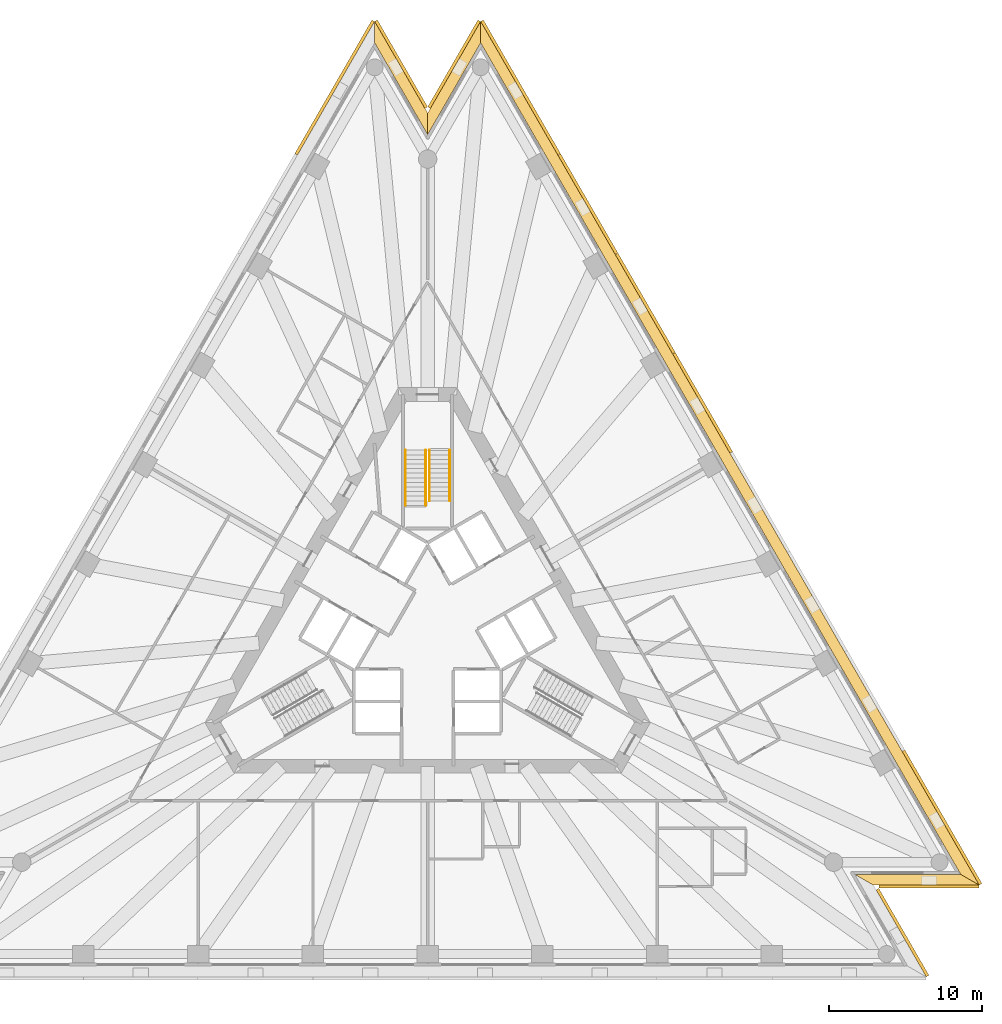
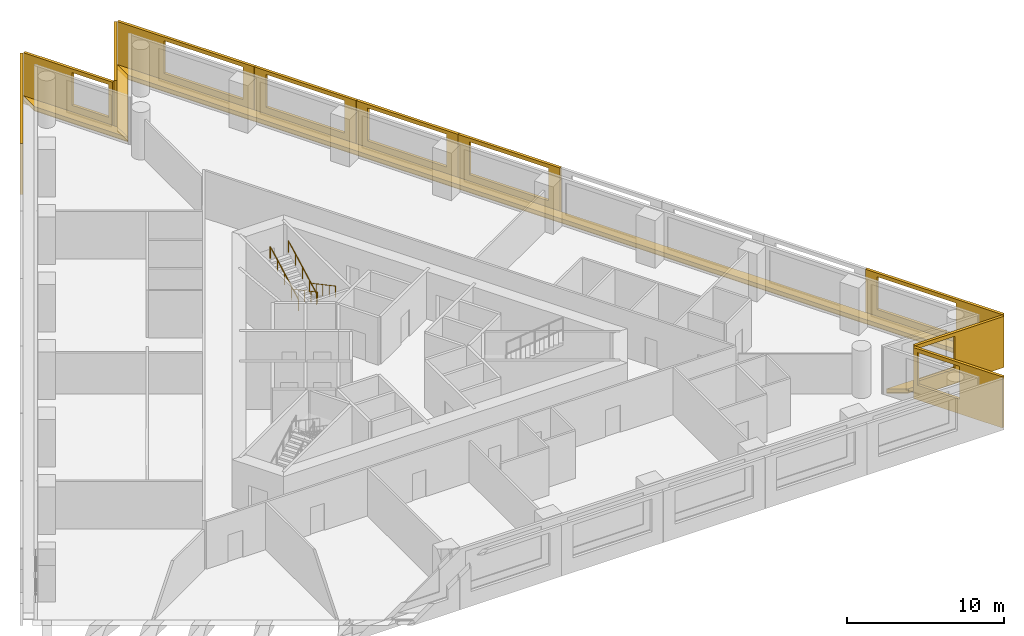
# One storey, part 9 of 9: 14 shading devices, 4 coverings, 4 railings, 1 element without a shape of its own.
"""IFC4 building model written with IfcOpenShell, lengths in metres."""

from ifc_helpers import new_model, si_unit, direction, frame, origin, origin_2d, place, context, subcontext, project, spatial, polyline, circle, outline, extrude, material, layer, layer_set, layer_usage, type_object, element, aggregate, save


model = new_model("IFC4")

# Units and contexts
model_context = context("Model", 3, precision=1e-05, world=origin(), true_north=direction((0.0, 1.0)))
body_context = subcontext(model_context, "Body", "Model", "MODEL_VIEW")
ifc_project = project(units=[si_unit("LENGTHUNIT", "METRE"), si_unit("AREAUNIT", "SQUARE_METRE"), si_unit("VOLUMEUNIT", "CUBIC_METRE"), si_unit("PLANEANGLEUNIT", "RADIAN"), si_unit("MASSUNIT", "GRAM", prefix="KILO")], contexts=[model_context])

# Site, building, storey
site_placement = place(None, origin())
site = spatial("IfcSite", under=ifc_project, at=site_placement, CompositionType="ELEMENT")
building_placement = place(site_placement, origin())
building = spatial("IfcBuilding", under=site, at=building_placement, Name="Triada Interchange Tower", CompositionType="ELEMENT")
storey_placement = place(building_placement, frame((0.0, 0.0, 47.300048828125)))
storey = spatial("IfcBuildingStorey", under=building, at=storey_placement, Name="L09", CompositionType="ELEMENT", Elevation=47.300048828125)

# Coverings
ifc_material_1 = material(Name="Mineral fire-stop board")
ifc_layer_1 = layer(ifc_material_1, 0.0400390625, Name="Mineral fire-stop board")
ifc_material_2 = material(Name="Intumescent sealant")
ifc_layer_2 = layer(ifc_material_2, 0.010009765625, Name="Intumescent seal")
ifc_layer_set_1 = layer_set([ifc_layer_1, ifc_layer_2], Name="Cavity fire stop")
ifc_layer_usage = layer_usage(ifc_layer_set_1, "AXIS3", "POSITIVE", 0.0)
covering_type = type_object("IfcCoveringType", Name="Cavity fire stop", PredefinedType="INSULATION", material=ifc_layer_set_1)
covering_1_placement = place(storey_placement, origin())
element("IfcCovering", 1, at=covering_1_placement, inside=storey, type_object=covering_type, material=ifc_layer_usage, Name="Cavity fire stop L09 SE-2", PredefinedType="INSULATION", context=body_context, shape_type="SweptSolid", body=[
    extrude(outline(polyline([(27.905029296875, -16.111083984375), (29.116943359375, -16.81103515625), (36.041015625, -16.81103515625), (34.8291015625, -16.111083984375), (27.905029296875, -16.111083984375)])), origin(), (0.0, 0.0, 1.0), 0.050048828125),
])
covering_2_placement = place(storey_placement, origin())
element("IfcCovering", 2, at=covering_2_placement, inside=storey, type_object=covering_type, material=ifc_layer_usage, Name="Cavity fire stop L09 NE", PredefinedType="INSULATION", context=body_context, shape_type="SweptSolid", body=[
    extrude(outline(polyline([(34.8291015625, -16.111083984375), (36.041015625, -16.81103515625), (3.4619140625, 39.617919921875), (3.4619140625, 38.218017578125), (34.8291015625, -16.111083984375)])), origin(), (0.0, 0.0, 1.0), 0.050048828125),
])
covering_3_placement = place(storey_placement, origin())
element("IfcCovering", 3, at=covering_3_placement, inside=storey, type_object=covering_type, material=ifc_layer_usage, Name="Cavity fire stop L09 N-1", PredefinedType="INSULATION", context=body_context, shape_type="SweptSolid", body=[
    extrude(outline(polyline([(3.4619140625, 38.218017578125), (3.4619140625, 39.617919921875), (0.0, 33.6220703125), (0.0, 32.221923828125), (3.4619140625, 38.218017578125)])), origin(), (0.0, 0.0, 1.0), 0.050048828125),
])
covering_4_placement = place(storey_placement, origin())
element("IfcCovering", 4, at=covering_4_placement, inside=storey, type_object=covering_type, material=ifc_layer_usage, Name="Cavity fire stop L09 N-2", PredefinedType="INSULATION", context=body_context, shape_type="SweptSolid", body=[
    extrude(outline(polyline([(0.0, 32.221923828125), (0.0, 33.6220703125), (-3.4619140625, 39.617919921875), (-3.4619140625, 38.218017578125), (0.0, 32.221923828125)])), origin(), (0.0, 0.0, 1.0), 0.050048828125),
])

# Shading devices
ifc_material_3 = material(Name="Aluminium louvre", Category="aluminium")
shading_device_type_1 = type_object("IfcShadingDeviceType", Name="Cavity louvre grille", PredefinedType="JALOUSIE", material=ifc_material_3)
shading_device_1_placement = place(storey_placement, frame((0.0, 0.0, 0.050048828125)))
element("IfcShadingDevice", 5, at=shading_device_1_placement, inside=storey, type_object=shading_device_type_1, Name="Cavity louvre grille L09 SE-2", PredefinedType="JALOUSIE", context=body_context, shape_type="SweptSolid", body=[
    extrude(outline(polyline([(27.905029296875, -16.111083984375), (29.116943359375, -16.81103515625), (36.041015625, -16.81103515625), (34.8291015625, -16.111083984375), (27.905029296875, -16.111083984375)])), origin(), (0.0, 0.0, 1.0), 0.2998046875),
])
shading_device_2_placement = place(storey_placement, frame((0.0, 0.0, 0.050048828125)))
element("IfcShadingDevice", 6, at=shading_device_2_placement, inside=storey, type_object=shading_device_type_1, Name="Cavity louvre grille L09 NE", PredefinedType="JALOUSIE", context=body_context, shape_type="SweptSolid", body=[
    extrude(outline(polyline([(34.8291015625, -16.111083984375), (36.041015625, -16.81103515625), (3.4619140625, 39.617919921875), (3.4619140625, 38.218017578125), (34.8291015625, -16.111083984375)])), origin(), (0.0, 0.0, 1.0), 0.2998046875),
])
shading_device_3_placement = place(storey_placement, frame((0.0, 0.0, 0.050048828125)))
element("IfcShadingDevice", 7, at=shading_device_3_placement, inside=storey, type_object=shading_device_type_1, Name="Cavity louvre grille L09 N-1", PredefinedType="JALOUSIE", context=body_context, shape_type="SweptSolid", body=[
    extrude(outline(polyline([(3.4619140625, 38.218017578125), (3.4619140625, 39.617919921875), (0.0, 33.6220703125), (0.0, 32.221923828125), (3.4619140625, 38.218017578125)])), origin(), (0.0, 0.0, 1.0), 0.2998046875),
])
shading_device_4_placement = place(storey_placement, frame((0.0, 0.0, 0.050048828125)))
element("IfcShadingDevice", 8, at=shading_device_4_placement, inside=storey, type_object=shading_device_type_1, Name="Cavity louvre grille L09 N-2", PredefinedType="JALOUSIE", context=body_context, shape_type="SweptSolid", body=[
    extrude(outline(polyline([(0.0, 32.221923828125), (0.0, 33.6220703125), (-3.4619140625, 39.617919921875), (-3.4619140625, 38.218017578125), (0.0, 32.221923828125)])), origin(), (0.0, 0.0, 1.0), 0.2998046875),
])
ifc_material_4 = material(Name="Concrete C50/60 precast", Category="concrete")
ifc_layer_3 = layer(ifc_material_4, 0.02001953125, Name="Exposed aggregate face")
ifc_layer_4 = layer(ifc_material_4, 0.179931640625, Name="Precast concrete screen")
ifc_layer_set_2 = layer_set([ifc_layer_3, ifc_layer_4], Name="Outer skin screen panel 3980")
shading_device_type_2 = type_object("IfcShadingDeviceType", Name="Outer skin screen panel 3980", PredefinedType="SHUTTER", material=ifc_layer_set_2)
shading_device_5_placement = place(storey_placement, frame((-3.467041015625, 39.60888671875, -0.2900390625), z_axis=(0.0, 0.0, 1.0), x_axis=(-0.500051848164, -0.865995467164, 0.0)))
element("IfcShadingDevice", 9, at=shading_device_5_placement, inside=storey, type_object=shading_device_type_2, Name="Outer skin screen panel L09 01", PredefinedType="SHUTTER", context=body_context, shape_type="SweptSolid", body=[
    extrude(outline(polyline([(0.0, 0.0), (10.07275390625, 0.0), (10.07275390625, 3.97998046875), (0.0, 3.97998046875), (0.0, 0.0)]), holes=[polyline([(3.435546875, 1.139892578125), (3.435546875, 3.68994140625), (9.235595703125, 3.68994140625), (9.235595703125, 1.139892578125), (3.435546875, 1.139892578125)])]), frame((0.0, 0.0, 0.0), z_axis=(0.0, -1.0, 0.0), x_axis=(1.0, 0.0, 0.0)), (0.0, 0.0, 1.0), 0.199951171875),
])
shading_device_6_placement = place(storey_placement, frame((32.573974609375, -22.798095703125, -0.2900390625), z_axis=(0.0, 0.0, 1.0), x_axis=(-0.499987845338, 0.866032421168, 0.0)))
element("IfcShadingDevice", 10, at=shading_device_6_placement, inside=storey, type_object=shading_device_type_2, Name="Outer skin screen panel L09 19", PredefinedType="SHUTTER", context=body_context, shape_type="SweptSolid", body=[
    extrude(outline(polyline([(0.0, 0.0), (6.556396484375, 0.0), (6.556396484375, 3.97998046875), (0.0, 3.97998046875), (0.0, 0.0)]), holes=[polyline([(3.17529296875, 1.139892578125), (3.17529296875, 3.68994140625), (6.257080078125, 3.68994140625), (6.257080078125, 1.139892578125), (3.17529296875, 1.139892578125)])]), frame((0.0, 0.0, 0.0), z_axis=(0.0, -1.0, 0.0), x_axis=(1.0, 0.0, 0.0)), (0.0, 0.0, 1.0), 0.199951171875),
])
shading_device_7_placement = place(storey_placement, frame((29.47412109375, -16.81103515625, -0.2900390625), z_axis=(0.0, 0.0, 1.0), x_axis=(1.0, 0.0, 0.0)))
element("IfcShadingDevice", 11, at=shading_device_7_placement, inside=storey, type_object=shading_device_type_2, Name="Outer skin screen panel L09 20", PredefinedType="SHUTTER", context=body_context, shape_type="SweptSolid", body=[
    extrude(outline(polyline([(0.0, 0.0), (6.556884765625, 0.0), (6.556884765625, 3.97998046875), (0.0, 3.97998046875), (0.0, 0.0)]), holes=[polyline([(0.300048828125, 1.139892578125), (0.300048828125, 3.68994140625), (2.9580078125, 3.68994140625), (2.9580078125, 1.139892578125), (0.300048828125, 1.139892578125)])]), frame((0.0, 0.0, 0.0), z_axis=(0.0, -1.0, 0.0), x_axis=(1.0, 0.0, 0.0)), (0.0, 0.0, 1.0), 0.199951171875),
])
shading_device_8_placement = place(storey_placement, frame((36.035888671875, -16.802001953125, -0.2900390625), z_axis=(0.0, 0.0, 1.0), x_axis=(-0.499926661183, 0.86606774183, 0.0)))
element("IfcShadingDevice", 12, at=shading_device_8_placement, inside=storey, type_object=shading_device_type_2, Name="Outer skin screen panel L09 21", PredefinedType="SHUTTER", context=body_context, shape_type="SweptSolid", body=[
    extrude(outline(polyline([(0.0, 0.0), (10.0732421875, 0.0), (10.0732421875, 3.97998046875), (0.0, 3.97998046875), (0.0, 0.0)]), holes=[polyline([(3.435302734375, 1.139892578125), (3.435302734375, 3.68994140625), (9.2353515625, 3.68994140625), (9.2353515625, 1.139892578125), (3.435302734375, 1.139892578125)])]), frame((0.0, 0.0, 0.0), z_axis=(0.0, -1.0, 0.0), x_axis=(1.0, 0.0, 0.0)), (0.0, 0.0, 1.0), 0.199951171875),
])
shading_device_9_placement = place(storey_placement, frame((19.7470703125, 11.412109375, -0.2900390625), z_axis=(0.0, 0.0, 1.0), x_axis=(-0.50003436236, 0.866005563758, 0.0)))
element("IfcShadingDevice", 13, at=shading_device_9_placement, inside=storey, type_object=shading_device_type_2, Name="Outer skin screen panel L09 25", PredefinedType="SHUTTER", context=body_context, shape_type="SweptSolid", body=[
    extrude(outline(polyline([(0.0, 0.0), (7.4755859375, 0.0), (7.4755859375, 3.97998046875), (0.0, 3.97998046875), (0.0, 0.0)]), holes=[polyline([(0.838134765625, 1.139892578125), (0.838134765625, 3.68994140625), (6.63818359375, 3.68994140625), (6.63818359375, 1.139892578125), (0.838134765625, 1.139892578125)])]), frame((0.0, 0.0, 0.0), z_axis=(0.0, -1.0, 0.0), x_axis=(1.0, 0.0, 0.0)), (0.0, 0.0, 1.0), 0.199951171875),
])
shading_device_10_placement = place(storey_placement, frame((15.9990234375, 17.903076171875, -0.2900390625), z_axis=(0.0, 0.0, 1.0), x_axis=(-0.50003436236, 0.866005563758, 0.0)))
element("IfcShadingDevice", 14, at=shading_device_10_placement, inside=storey, type_object=shading_device_type_2, Name="Outer skin screen panel L09 26", PredefinedType="SHUTTER", context=body_context, shape_type="SweptSolid", body=[
    extrude(outline(polyline([(0.0, 0.0), (7.4755859375, 0.0), (7.4755859375, 3.97998046875), (0.0, 3.97998046875), (0.0, 0.0)]), holes=[polyline([(0.837890625, 1.139892578125), (0.837890625, 3.68994140625), (6.6376953125, 3.68994140625), (6.6376953125, 1.139892578125), (0.837890625, 1.139892578125)])]), frame((0.0, 0.0, 0.0), z_axis=(0.0, -1.0, 0.0), x_axis=(1.0, 0.0, 0.0)), (0.0, 0.0, 1.0), 0.199951171875),
])
shading_device_11_placement = place(storey_placement, frame((12.2509765625, 24.39404296875, -0.2900390625), z_axis=(0.0, 0.0, 1.0), x_axis=(-0.499936381736, 0.866062130691, 0.0)))
element("IfcShadingDevice", 15, at=shading_device_11_placement, inside=storey, type_object=shading_device_type_2, Name="Outer skin screen panel L09 27", PredefinedType="SHUTTER", context=body_context, shape_type="SweptSolid", body=[
    extrude(outline(polyline([(0.0, 0.0), (7.47509765625, 0.0), (7.47509765625, 3.97998046875), (0.0, 3.97998046875), (0.0, 0.0)]), holes=[polyline([(0.83740234375, 1.139892578125), (0.83740234375, 3.68994140625), (6.637451171875, 3.68994140625), (6.637451171875, 1.139892578125), (0.83740234375, 1.139892578125)])]), frame((0.0, 0.0, 0.0), z_axis=(0.0, -1.0, 0.0), x_axis=(1.0, 0.0, 0.0)), (0.0, 0.0, 1.0), 0.199951171875),
])
shading_device_12_placement = place(storey_placement, frame((8.50390625, 30.885986328125, -0.2900390625), z_axis=(0.0, 0.0, 1.0), x_axis=(-0.500051848164, 0.865995467164, 0.0)))
element("IfcShadingDevice", 16, at=shading_device_12_placement, inside=storey, type_object=shading_device_type_2, Name="Outer skin screen panel L09 28", PredefinedType="SHUTTER", context=body_context, shape_type="SweptSolid", body=[
    extrude(outline(polyline([(0.0, 0.0), (10.07275390625, 0.0), (10.07275390625, 3.97998046875), (0.0, 3.97998046875), (0.0, 0.0)]), holes=[polyline([(0.837158203125, 1.139892578125), (0.837158203125, 3.68994140625), (6.63720703125, 3.68994140625), (6.63720703125, 1.139892578125), (0.837158203125, 1.139892578125)])]), frame((0.0, 0.0, 0.0), z_axis=(0.0, -1.0, 0.0), x_axis=(1.0, 0.0, 0.0)), (0.0, 0.0, 1.0), 0.199951171875),
])
shading_device_13_placement = place(storey_placement, frame((3.45703125, 39.60888671875, -0.2900390625), z_axis=(0.0, 0.0, 1.0), x_axis=(-0.500099547154, -0.865967922579, 0.0)))
element("IfcShadingDevice", 17, at=shading_device_13_placement, inside=storey, type_object=shading_device_type_2, Name="Outer skin screen panel L09 29", PredefinedType="SHUTTER", context=body_context, shape_type="SweptSolid", body=[
    extrude(outline(polyline([(0.0, 0.0), (6.556884765625, 0.0), (6.556884765625, 3.97998046875), (0.0, 3.97998046875), (0.0, 0.0)]), holes=[polyline([(3.175537109375, 1.139892578125), (3.175537109375, 3.68994140625), (6.25732421875, 3.68994140625), (6.25732421875, 1.139892578125), (3.175537109375, 1.139892578125)])]), frame((0.0, 0.0, 0.0), z_axis=(0.0, -1.0, 0.0), x_axis=(1.0, 0.0, 0.0)), (0.0, 0.0, 1.0), 0.199951171875),
])
shading_device_14_placement = place(storey_placement, frame((-0.177978515625, 33.930908203125, -0.2900390625), z_axis=(0.0, 0.0, 1.0), x_axis=(-0.500099547154, 0.865967922579, 0.0)))
element("IfcShadingDevice", 18, at=shading_device_14_placement, inside=storey, type_object=shading_device_type_2, Name="Outer skin screen panel L09 30", PredefinedType="SHUTTER", context=body_context, shape_type="SweptSolid", body=[
    extrude(outline(polyline([(0.0, 0.0), (6.556884765625, 0.0), (6.556884765625, 3.97998046875), (0.0, 3.97998046875), (0.0, 0.0)]), holes=[polyline([(0.300048828125, 1.139892578125), (0.300048828125, 3.68994140625), (2.9580078125, 3.68994140625), (2.9580078125, 1.139892578125), (0.300048828125, 1.139892578125)])]), frame((0.0, 0.0, 0.0), z_axis=(0.0, -1.0, 0.0), x_axis=(1.0, 0.0, 0.0)), (0.0, 0.0, 1.0), 0.199951171875),
])

# Stair, railings
ifc_material_5 = material(Name="Concrete C35/45", Category="concrete")
stair_type = type_object("IfcStairType", Name="HALF TURN STAIR 1400", PredefinedType="HALF_TURN_STAIR", material=ifc_material_5)
stair_placement = place(storey_placement, origin())
stair = element("IfcStair", 19, at=stair_placement, inside=storey, type_object=stair_type, Name="Exit stair S09-1", PredefinedType="HALF_TURN_STAIR")
ifc_material_6 = material(Name="Stainless steel 1.4301", Category="steel")
railing_type = type_object("IfcRailingType", Name="STAIR HANDRAIL 900", PredefinedType="HANDRAIL", material=ifc_material_6)
railing_1_placement = place(storey_placement, frame((1.449951171875, 11.60009765625, 0.159912109375)))
railing_1 = element("IfcRailing", 20, at=railing_1_placement, type_object=railing_type, Name="Handrail S09-1 1W", PredefinedType="HANDRAIL", context=body_context, shape_type="SweptSolid", body=[
    extrude(circle(Radius=0.02392578125, at=origin_2d()), frame((0.0, 0.0, 0.8759765625), z_axis=(0.0, -0.882354748157, 0.47058484719), x_axis=(1.0, 0.0, 0.0)), (0.0, 0.0, 1.0), 3.739990234375),
    extrude(circle(Radius=0.02099609375, at=origin_2d()), origin(), (0.0, 0.0, 1.0), 0.851806640625),
    extrude(circle(Radius=0.02099609375, at=origin_2d()), frame((0.0, -0.824951171875, 0.43994140625)), (0.0, 0.0, 1.0), 0.851806640625),
    extrude(circle(Radius=0.02099609375, at=origin_2d()), frame((0.0, -1.64990234375, 0.8798828125)), (0.0, 0.0, 1.0), 0.851806640625),
    extrude(circle(Radius=0.02099609375, at=origin_2d()), frame((0.0, -2.47509765625, 1.320068359375)), (0.0, 0.0, 1.0), 0.851806640625),
    extrude(circle(Radius=0.02099609375, at=origin_2d()), frame((0.0, -3.300048828125, 1.760009765625)), (0.0, 0.0, 1.0), 0.851806640625),
])
railing_2_placement = place(storey_placement, frame((0.1201171875, 11.60009765625, 0.159912109375)))
railing_2 = element("IfcRailing", 21, at=railing_2_placement, type_object=railing_type, Name="Handrail S09-1 1C", PredefinedType="HANDRAIL", context=body_context, shape_type="SweptSolid", body=[
    extrude(circle(Radius=0.02392578125, at=origin_2d()), frame((0.0, 0.0, 0.8759765625), z_axis=(0.0, -0.882354748157, 0.47058484719), x_axis=(1.0, 0.0, 0.0)), (0.0, 0.0, 1.0), 3.739990234375),
    extrude(circle(Radius=0.02099609375, at=origin_2d()), origin(), (0.0, 0.0, 1.0), 0.851806640625),
    extrude(circle(Radius=0.02099609375, at=origin_2d()), frame((0.0, -0.824951171875, 0.43994140625)), (0.0, 0.0, 1.0), 0.851806640625),
    extrude(circle(Radius=0.02099609375, at=origin_2d()), frame((0.0, -1.64990234375, 0.8798828125)), (0.0, 0.0, 1.0), 0.851806640625),
    extrude(circle(Radius=0.02099609375, at=origin_2d()), frame((0.0, -2.47509765625, 1.320068359375)), (0.0, 0.0, 1.0), 0.851806640625),
    extrude(circle(Radius=0.02099609375, at=origin_2d()), frame((0.0, -3.300048828125, 1.760009765625)), (0.0, 0.0, 1.0), 0.851806640625),
])
railing_3_placement = place(storey_placement, frame((-1.449951171875, 8.0, 2.079833984375)))
railing_3 = element("IfcRailing", 22, at=railing_3_placement, type_object=railing_type, Name="Handrail S09-1 2W", PredefinedType="HANDRAIL", context=body_context, shape_type="SweptSolid", body=[
    extrude(circle(Radius=0.02392578125, at=origin_2d()), frame((0.0, 0.0, 0.8759765625), z_axis=(0.0, 0.882341346394, 0.470609974867), x_axis=(-1.0, 0.0, 0.0)), (0.0, 0.0, 1.0), 4.080078125),
    extrude(circle(Radius=0.02099609375, at=origin_2d()), origin(), (0.0, 0.0, 1.0), 0.851806640625),
    extrude(circle(Radius=0.02099609375, at=origin_2d()), frame((0.0, 0.89990234375, 0.47998046875)), (0.0, 0.0, 1.0), 0.851806640625),
    extrude(circle(Radius=0.02099609375, at=origin_2d()), frame((0.0, 1.800048828125, 0.9599609375)), (0.0, 0.0, 1.0), 0.851806640625),
    extrude(circle(Radius=0.02099609375, at=origin_2d()), frame((0.0, 2.7001953125, 1.440185546875)), (0.0, 0.0, 1.0), 0.851806640625),
    extrude(circle(Radius=0.02099609375, at=origin_2d()), frame((0.0, 3.60009765625, 1.920166015625)), (0.0, 0.0, 1.0), 0.851806640625),
])
railing_4_placement = place(storey_placement, frame((-0.1201171875, 8.0, 2.079833984375)))
railing_4 = element("IfcRailing", 23, at=railing_4_placement, type_object=railing_type, Name="Handrail S09-1 2C", PredefinedType="HANDRAIL", context=body_context, shape_type="SweptSolid", body=[
    extrude(circle(Radius=0.02392578125, at=origin_2d()), frame((0.0, 0.0, 0.8759765625), z_axis=(0.0, 0.882341346394, 0.470609974867), x_axis=(-1.0, 0.0, 0.0)), (0.0, 0.0, 1.0), 4.080078125),
    extrude(circle(Radius=0.02099609375, at=origin_2d()), origin(), (0.0, 0.0, 1.0), 0.851806640625),
    extrude(circle(Radius=0.02099609375, at=origin_2d()), frame((0.0, 0.89990234375, 0.47998046875)), (0.0, 0.0, 1.0), 0.851806640625),
    extrude(circle(Radius=0.02099609375, at=origin_2d()), frame((0.0, 1.800048828125, 0.9599609375)), (0.0, 0.0, 1.0), 0.851806640625),
    extrude(circle(Radius=0.02099609375, at=origin_2d()), frame((0.0, 2.7001953125, 1.440185546875)), (0.0, 0.0, 1.0), 0.851806640625),
    extrude(circle(Radius=0.02099609375, at=origin_2d()), frame((0.0, 3.60009765625, 1.920166015625)), (0.0, 0.0, 1.0), 0.851806640625),
])
aggregate(stair, [railing_1, railing_2, railing_3, railing_4])

save(model, "model.ifc")
